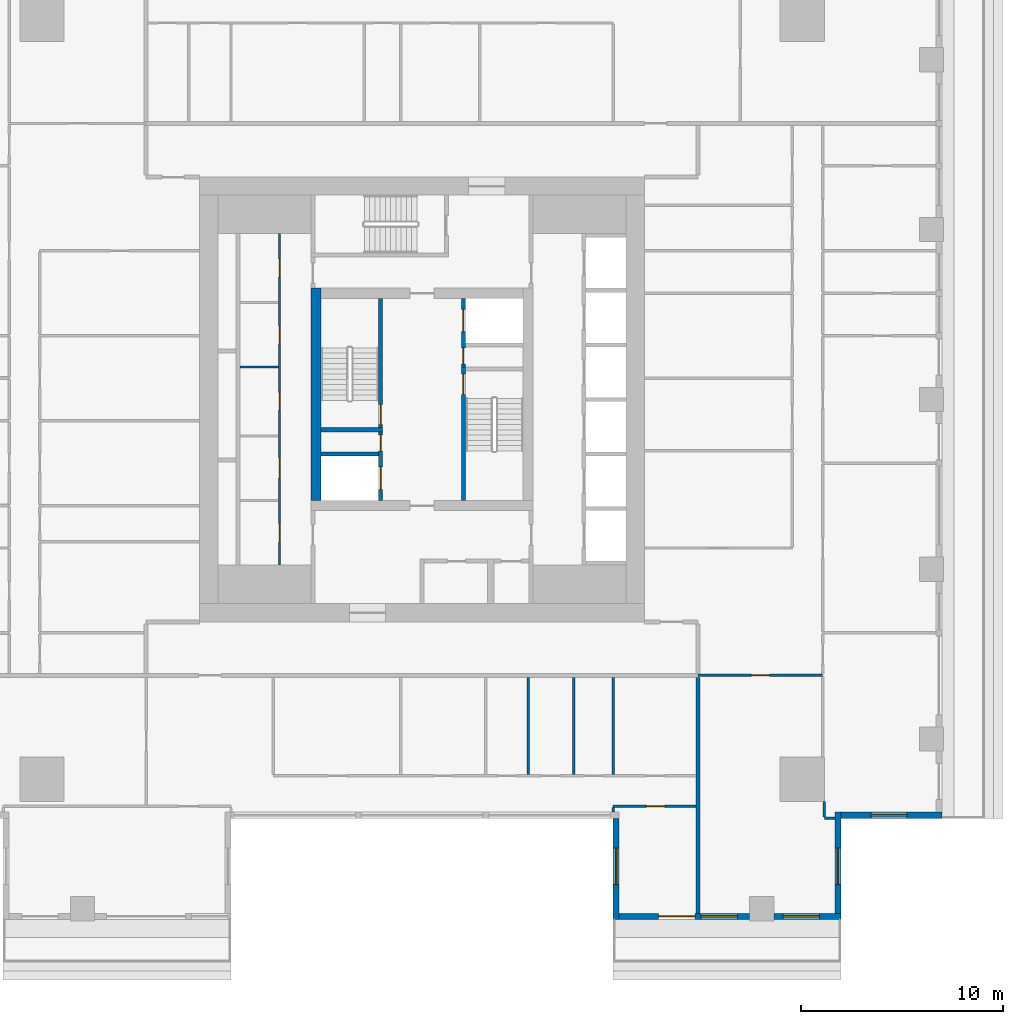
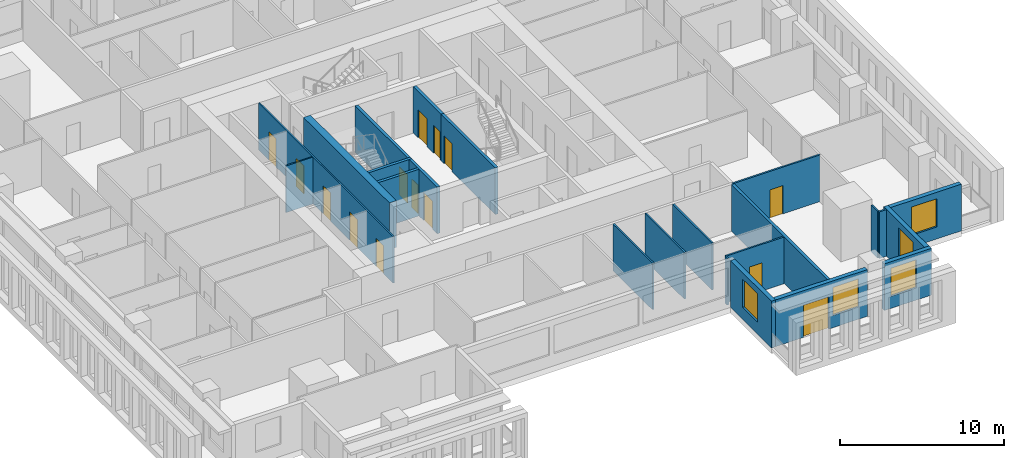
# One storey, part 4 of 14: 23 walls, 14 doors, 5 windows, 19 openings.
"""IFC4 building model written with IfcOpenShell, lengths in metres."""

from ifc_helpers import new_model, si_unit, direction, frame, frame_2d, origin, place, context, subcontext, project, spatial, rectangle, extrude, material, layer, layer_set, type_object, element, fill, save


model = new_model("IFC4")

# Units and contexts
model_context = context("Model", 3, precision=1e-05, world=origin(), true_north=direction((0.0, 1.0)))
body_context = subcontext(model_context, "Body", "Model", "MODEL_VIEW")
ifc_project = project(units=[si_unit("LENGTHUNIT", "METRE"), si_unit("AREAUNIT", "SQUARE_METRE"), si_unit("VOLUMEUNIT", "CUBIC_METRE"), si_unit("PLANEANGLEUNIT", "RADIAN"), si_unit("MASSUNIT", "GRAM", prefix="KILO")], contexts=[model_context])

# Site, building, storey
site_placement = place(None, origin())
site = spatial("IfcSite", under=ifc_project, at=site_placement, CompositionType="ELEMENT")
building_placement = place(site_placement, origin())
building = spatial("IfcBuilding", under=site, at=building_placement, Name="Khepri Terraces", CompositionType="ELEMENT")
storey_placement = place(building_placement, frame((0.0, 0.0, 267.89990234375)))
storey = spatial("IfcBuildingStorey", under=building, at=storey_placement, Name="L64", CompositionType="ELEMENT", Elevation=267.89990234375)

# Wall, opening, door
ifc_material_1 = material(Name="Concrete C40/50", Category="concrete")
ifc_layer_1 = layer(ifc_material_1, 0.199951171875, Name="Concrete C40/50", Category="concrete")
ifc_layer_set_1 = layer_set([ifc_layer_1], Name="Concrete C40/50")
wall_type_1 = type_object("IfcWallType", Name="Core wall 200 C40/50", PredefinedType="SHEAR", material=ifc_layer_set_1)
wall_1_placement = place(storey_placement, frame((2.050048828125, -5.0, 0.0), z_axis=(0.0, 0.0, 1.0), x_axis=(0.0, 1.0, 0.0)))
wall_1 = element("IfcWall", 1, at=wall_1_placement, inside=storey, type_object=wall_type_1, Name="Core wall ST01 L64", PredefinedType="SHEAR", context=body_context, shape_type="SweptSolid", body=[
    extrude(rectangle(XDim=6.60009765625, YDim=0.199951171875, at=frame_2d((3.300048828125, 0.0))), origin(), (0.0, 0.0, 1.0), 3.47998046875),
])
opening_1_placement = place(wall_1_placement, frame((5.25, 0.0, 0.0)))
opening_1 = element("IfcOpeningElement", 2, at=opening_1_placement, cuts=wall_1, Name="Opening L64-C10", PredefinedType="OPENING", context=body_context, shape_type="SweptSolid", body=[
    extrude(rectangle(XDim=1.0, YDim=2.10009765625, at=frame_2d((0.5, 1.050048828125))), frame((0.0, 0.10986328125, 0.0), z_axis=(0.0, -1.0, 0.0), x_axis=(1.0, 0.0, 0.0)), (0.0, 0.0, 1.0), 0.219970703125),
])
ifc_material_2 = material(Name="Painted steel", Category="steel")
door_type_1 = type_object("IfcDoorType", Name="DR-CORE-STAIR-1000", OperationType="NOTDEFINED", PredefinedType="DOOR", material=ifc_material_2)
door_1_placement = place(opening_1_placement, frame((1.0, 0.0, 0.0), z_axis=(0.0, 0.0, 1.0), x_axis=(-1.0, 0.0, 0.0)))
door_1 = element("IfcDoor", 3, at=door_1_placement, inside=storey, type_object=door_type_1, Name="Stair door L64-C10", OperationType="SINGLE_SWING_LEFT", OverallHeight=2.10009765625, OverallWidth=1.0, PredefinedType="DOOR", context=body_context, shape_type="SweptSolid", body=[
    extrude(rectangle(XDim=1.0, YDim=2.10009765625, at=frame_2d((0.5, 1.050048828125))), frame((0.0, 0.02490234375, 0.0), z_axis=(0.0, -1.0, 0.0), x_axis=(1.0, 0.0, 0.0)), (0.0, 0.0, 1.0), 0.050048828125),
])
fill(opening_1, door_1)

# Wall
wall_2_placement = place(storey_placement, frame((-5.0, -1.5, 0.0), z_axis=(0.0, 0.0, 1.0), x_axis=(1.0, 0.0, 0.0)))
element("IfcWall", 4, at=wall_2_placement, inside=storey, type_object=wall_type_1, Name="Core wall ST02 L64", PredefinedType="SHEAR", context=body_context, shape_type="SweptSolid", body=[
    extrude(rectangle(XDim=3.050048828125, YDim=0.199951171875, at=frame_2d((1.52490234375, 0.0))), origin(), (0.0, 0.0, 1.0), 3.47998046875),
])

# Wall, opening, door
wall_3_placement = place(storey_placement, frame((-2.050048828125, -1.39990234375, 0.0), z_axis=(0.0, 0.0, 1.0), x_axis=(0.0, 1.0, 0.0)))
wall_3 = element("IfcWall", 5, at=wall_3_placement, inside=storey, type_object=wall_type_1, Name="Core wall ST03 L64", PredefinedType="SHEAR", context=body_context, shape_type="SweptSolid", body=[
    extrude(rectangle(XDim=6.39990234375, YDim=0.199951171875, at=frame_2d((3.199951171875, 0.0))), origin(), (0.0, 0.0, 1.0), 3.47998046875),
])
opening_2_placement = place(wall_3_placement, frame((0.14990234375, 0.0, 0.0)))
opening_2 = element("IfcOpeningElement", 6, at=opening_2_placement, cuts=wall_3, Name="Opening L64-C09", PredefinedType="OPENING", context=body_context, shape_type="SweptSolid", body=[
    extrude(rectangle(XDim=1.0, YDim=2.10009765625, at=frame_2d((0.5, 1.050048828125))), frame((0.0, 0.10986328125, 0.0), z_axis=(0.0, -1.0, 0.0), x_axis=(1.0, 0.0, 0.0)), (0.0, 0.0, 1.0), 0.219970703125),
])
door_2_placement = place(opening_2_placement, origin())
door_2 = element("IfcDoor", 7, at=door_2_placement, inside=storey, type_object=door_type_1, Name="Stair door L64-C09", OperationType="SINGLE_SWING_LEFT", OverallHeight=2.10009765625, OverallWidth=1.0, PredefinedType="DOOR", context=body_context, shape_type="SweptSolid", body=[
    extrude(rectangle(XDim=1.0, YDim=2.10009765625, at=frame_2d((0.5, 1.050048828125))), frame((0.0, 0.02490234375, 0.0), z_axis=(0.0, -1.0, 0.0), x_axis=(1.0, 0.0, 0.0)), (0.0, 0.0, 1.0), 0.050048828125),
])
fill(opening_2, door_2)

# Wall, openings, doors
wall_4_placement = place(storey_placement, frame((-2.050048828125, -5.0, 0.0), z_axis=(0.0, 0.0, 1.0), x_axis=(0.0, 1.0, 0.0)))
wall_4 = element("IfcWall", 8, at=wall_4_placement, inside=storey, type_object=wall_type_1, Name="Core wall SH05 L64", PredefinedType="SHEAR", context=body_context, shape_type="SweptSolid", body=[
    extrude(rectangle(XDim=3.39990234375, YDim=0.199951171875, at=frame_2d((1.699951171875, 0.0))), origin(), (0.0, 0.0, 1.0), 3.47998046875),
])
opening_3_placement = place(wall_4_placement, frame((0.550048828125, 0.0, 0.0)))
opening_3 = element("IfcOpeningElement", 9, at=opening_3_placement, cuts=wall_4, Name="Opening L64-C08", PredefinedType="OPENING", context=body_context, shape_type="SweptSolid", body=[
    extrude(rectangle(XDim=1.10009765625, YDim=2.10009765625, at=frame_2d((0.550048828125, 1.050048828125))), frame((0.0, 0.10986328125, 0.0), z_axis=(0.0, -1.0, 0.0), x_axis=(1.0, 0.0, 0.0)), (0.0, 0.0, 1.0), 0.219970703125),
])
opening_4_placement = place(wall_4_placement, frame((2.449951171875, 0.0, 0.0)))
opening_4 = element("IfcOpeningElement", 10, at=opening_4_placement, cuts=wall_4, Name="Opening L64-C12", PredefinedType="OPENING", context=body_context, shape_type="SweptSolid", body=[
    extrude(rectangle(XDim=0.800048828125, YDim=2.10009765625, at=frame_2d((0.39990234375, 1.050048828125))), frame((0.0, 0.10986328125, 0.0), z_axis=(0.0, -1.0, 0.0), x_axis=(1.0, 0.0, 0.0)), (0.0, 0.0, 1.0), 0.219970703125),
])
ifc_material_3 = material(Name="Stainless steel 304", Category="steel")
door_type_2 = type_object("IfcDoorType", Name="DR-CORE-FF-LANDING-1100", OperationType="NOTDEFINED", PredefinedType="DOOR", material=ifc_material_3)
door_3_placement = place(opening_3_placement, origin())
door_3 = element("IfcDoor", 11, at=door_3_placement, inside=storey, type_object=door_type_2, Name="Firefighting lift landing door L64-C08", OperationType="SLIDING_TO_LEFT", OverallHeight=2.10009765625, OverallWidth=1.10009765625, PredefinedType="DOOR", context=body_context, shape_type="SweptSolid", body=[
    extrude(rectangle(XDim=1.10009765625, YDim=2.10009765625, at=frame_2d((0.550048828125, 1.050048828125))), frame((0.0, 0.02490234375, 0.0), z_axis=(0.0, -1.0, 0.0), x_axis=(1.0, 0.0, 0.0)), (0.0, 0.0, 1.0), 0.050048828125),
])
fill(opening_3, door_3)
door_type_3 = type_object("IfcDoorType", Name="DR-CORE-RISER-800", OperationType="NOTDEFINED", PredefinedType="DOOR", material=ifc_material_2)
door_4_placement = place(opening_4_placement, origin())
door_4 = element("IfcDoor", 12, at=door_4_placement, inside=storey, type_object=door_type_3, Name="Riser door L64-C12", OperationType="SINGLE_SWING_RIGHT", OverallHeight=2.10009765625, OverallWidth=0.800048828125, PredefinedType="DOOR", context=body_context, shape_type="SweptSolid", body=[
    extrude(rectangle(XDim=0.800048828125, YDim=2.10009765625, at=frame_2d((0.39990234375, 1.050048828125))), frame((0.0, 0.02490234375, 0.0), z_axis=(0.0, -1.0, 0.0), x_axis=(1.0, 0.0, 0.0)), (0.0, 0.0, 1.0), 0.050048828125),
])
fill(opening_4, door_4)

# Wall
wall_5_placement = place(storey_placement, frame((-5.0, -2.699951171875, 0.0), z_axis=(0.0, 0.0, 1.0), x_axis=(1.0, 0.0, 0.0)))
element("IfcWall", 13, at=wall_5_placement, inside=storey, type_object=wall_type_1, Name="Core wall SH07 L64", PredefinedType="SHEAR", context=body_context, shape_type="SweptSolid", body=[
    extrude(rectangle(XDim=2.85009765625, YDim=0.199951171875, at=frame_2d((1.425048828125, 0.0))), origin(), (0.0, 0.0, 1.0), 3.47998046875),
])

# Wall, openings, doors
wall_6_placement = place(storey_placement, frame((2.050048828125, 1.60009765625, 0.0), z_axis=(0.0, 0.0, 1.0), x_axis=(0.0, 1.0, 0.0)))
wall_6 = element("IfcWall", 14, at=wall_6_placement, inside=storey, type_object=wall_type_1, Name="Core wall SH10 L64", PredefinedType="SHEAR", context=body_context, shape_type="SweptSolid", body=[
    extrude(rectangle(XDim=3.39990234375, YDim=0.199951171875, at=frame_2d((1.699951171875, 0.0))), origin(), (0.0, 0.0, 1.0), 3.47998046875),
])
opening_5_placement = place(wall_6_placement, frame((1.75, 0.0, 0.0)))
opening_5 = element("IfcOpeningElement", 15, at=opening_5_placement, cuts=wall_6, Name="Opening L64-C07", PredefinedType="OPENING", context=body_context, shape_type="SweptSolid", body=[
    extrude(rectangle(XDim=1.10009765625, YDim=2.10009765625, at=frame_2d((0.550048828125, 1.050048828125))), frame((0.0, 0.10986328125, 0.0), z_axis=(0.0, -1.0, 0.0), x_axis=(1.0, 0.0, 0.0)), (0.0, 0.0, 1.0), 0.219970703125),
])
opening_6_placement = place(wall_6_placement, frame((0.14990234375, 0.0, 0.0)))
opening_6 = element("IfcOpeningElement", 16, at=opening_6_placement, cuts=wall_6, Name="Opening L64-C11", PredefinedType="OPENING", context=body_context, shape_type="SweptSolid", body=[
    extrude(rectangle(XDim=0.800048828125, YDim=2.10009765625, at=frame_2d((0.39990234375, 1.050048828125))), frame((0.0, 0.10986328125, 0.0), z_axis=(0.0, -1.0, 0.0), x_axis=(1.0, 0.0, 0.0)), (0.0, 0.0, 1.0), 0.219970703125),
])
door_5_placement = place(opening_5_placement, origin())
door_5 = element("IfcDoor", 17, at=door_5_placement, inside=storey, type_object=door_type_2, Name="Firefighting lift landing door L64-C07", OperationType="SLIDING_TO_LEFT", OverallHeight=2.10009765625, OverallWidth=1.10009765625, PredefinedType="DOOR", context=body_context, shape_type="SweptSolid", body=[
    extrude(rectangle(XDim=1.10009765625, YDim=2.10009765625, at=frame_2d((0.550048828125, 1.050048828125))), frame((0.0, 0.02490234375, 0.0), z_axis=(0.0, -1.0, 0.0), x_axis=(1.0, 0.0, 0.0)), (0.0, 0.0, 1.0), 0.050048828125),
])
fill(opening_5, door_5)
door_6_placement = place(opening_6_placement, frame((0.800048828125, 0.0, 0.0), z_axis=(0.0, 0.0, 1.0), x_axis=(-1.0, 0.0, 0.0)))
door_6 = element("IfcDoor", 18, at=door_6_placement, inside=storey, type_object=door_type_3, Name="Riser door L64-C11", OperationType="SINGLE_SWING_RIGHT", OverallHeight=2.10009765625, OverallWidth=0.800048828125, PredefinedType="DOOR", context=body_context, shape_type="SweptSolid", body=[
    extrude(rectangle(XDim=0.800048828125, YDim=2.10009765625, at=frame_2d((0.39990234375, 1.050048828125))), frame((0.0, 0.02490234375, 0.0), z_axis=(0.0, -1.0, 0.0), x_axis=(1.0, 0.0, 0.0)), (0.0, 0.0, 1.0), 0.050048828125),
])
fill(opening_6, door_6)

# Wall
ifc_layer_2 = layer(ifc_material_1, 0.5, Name="Concrete C40/50", Category="concrete")
ifc_layer_set_2 = layer_set([ifc_layer_2], Name="Concrete C40/50")
wall_type_2 = type_object("IfcWallType", Name="Core wall 500 C40/50", PredefinedType="SHEAR", material=ifc_layer_set_2)
wall_7_placement = place(storey_placement, frame((-5.25, -5.0, 0.0), z_axis=(0.0, 0.0, 1.0), x_axis=(0.0, 1.0, 0.0)))
element("IfcWall", 19, at=wall_7_placement, inside=storey, type_object=wall_type_2, Name="Core wall BX02 L64", PredefinedType="SHEAR", context=body_context, shape_type="SweptSolid", body=[
    extrude(rectangle(XDim=10.5, YDim=0.5, at=frame_2d((5.25, 0.0))), origin(), (0.0, 0.0, 1.0), 3.47998046875),
])

# Wall, openings, doors
ifc_material_4 = material(Name="Fire-rated gypsum board partition")
ifc_layer_3 = layer(ifc_material_4, 0.10009765625, Name="Fire-rated gypsum board partition")
ifc_layer_set_3 = layer_set([ifc_layer_3], Name="Fire-rated gypsum board partition")
wall_type_3 = type_object("IfcWallType", Name="WL-CORE-PART-100", PredefinedType="PARTITIONING", material=ifc_layer_set_3)
wall_8_placement = place(storey_placement, frame((-7.050048828125, -8.199951171875, 0.0), z_axis=(0.0, 0.0, 1.0), x_axis=(0.0, 1.0, 0.0)))
wall_8 = element("IfcWall", 20, at=wall_8_placement, inside=storey, type_object=wall_type_3, Name="Core partition PT05 L64", PredefinedType="PARTITIONING", context=body_context, shape_type="SweptSolid", body=[
    extrude(rectangle(XDim=16.39990234375, YDim=0.10009765625, at=frame_2d((8.199951171875, 0.0))), origin(), (0.0, 0.0, 1.0), 3.47998046875),
])
opening_7_placement = place(wall_8_placement, frame((1.14990234375, 0.0, 0.0)))
opening_7 = element("IfcOpeningElement", 21, at=opening_7_placement, cuts=wall_8, Name="Opening L64-C24", PredefinedType="OPENING", context=body_context, shape_type="SweptSolid", body=[
    extrude(rectangle(XDim=0.89990234375, YDim=2.10009765625, at=frame_2d((0.449951171875, 1.050048828125))), frame((0.0, 0.06005859375, 0.0), z_axis=(0.0, -1.0, 0.0), x_axis=(1.0, 0.0, 0.0)), (0.0, 0.0, 1.0), 0.1201171875),
])
opening_8_placement = place(wall_8_placement, frame((4.300048828125, 0.0, 0.0)))
opening_8 = element("IfcOpeningElement", 22, at=opening_8_placement, cuts=wall_8, Name="Opening L64-C25", PredefinedType="OPENING", context=body_context, shape_type="SweptSolid", body=[
    extrude(rectangle(XDim=1.0, YDim=2.10009765625, at=frame_2d((0.5, 1.050048828125))), frame((0.0, 0.06005859375, 0.0), z_axis=(0.0, -1.0, 0.0), x_axis=(1.0, 0.0, 0.0)), (0.0, 0.0, 1.0), 0.1201171875),
])
opening_9_placement = place(wall_8_placement, frame((7.64990234375, 0.0, 0.0)))
opening_9 = element("IfcOpeningElement", 23, at=opening_9_placement, cuts=wall_8, Name="Opening L64-C26", PredefinedType="OPENING", context=body_context, shape_type="SweptSolid", body=[
    extrude(rectangle(XDim=0.89990234375, YDim=2.10009765625, at=frame_2d((0.449951171875, 1.050048828125))), frame((0.0, 0.06005859375, 0.0), z_axis=(0.0, -1.0, 0.0), x_axis=(1.0, 0.0, 0.0)), (0.0, 0.0, 1.0), 0.1201171875),
])
opening_10_placement = place(wall_8_placement, frame((10.949951171875, 0.0, 0.0)))
opening_10 = element("IfcOpeningElement", 24, at=opening_10_placement, cuts=wall_8, Name="Opening L64-C27", PredefinedType="OPENING", context=body_context, shape_type="SweptSolid", body=[
    extrude(rectangle(XDim=0.89990234375, YDim=2.10009765625, at=frame_2d((0.449951171875, 1.050048828125))), frame((0.0, 0.06005859375, 0.0), z_axis=(0.0, -1.0, 0.0), x_axis=(1.0, 0.0, 0.0)), (0.0, 0.0, 1.0), 0.1201171875),
])
opening_11_placement = place(wall_8_placement, frame((14.25, 0.0, 0.0)))
opening_11 = element("IfcOpeningElement", 25, at=opening_11_placement, cuts=wall_8, Name="Opening L64-C28", PredefinedType="OPENING", context=body_context, shape_type="SweptSolid", body=[
    extrude(rectangle(XDim=0.89990234375, YDim=2.10009765625, at=frame_2d((0.449951171875, 1.050048828125))), frame((0.0, 0.06005859375, 0.0), z_axis=(0.0, -1.0, 0.0), x_axis=(1.0, 0.0, 0.0)), (0.0, 0.0, 1.0), 0.1201171875),
])
door_type_4 = type_object("IfcDoorType", Name="DR-CORE-SERVICE-900", OperationType="NOTDEFINED", PredefinedType="DOOR", material=ifc_material_2)
door_7_placement = place(opening_7_placement, origin())
door_7 = element("IfcDoor", 26, at=door_7_placement, inside=storey, type_object=door_type_4, Name="Service room door L64-C24", OperationType="SINGLE_SWING_LEFT", OverallHeight=2.10009765625, OverallWidth=0.89990234375, PredefinedType="DOOR", context=body_context, shape_type="SweptSolid", body=[
    extrude(rectangle(XDim=0.89990234375, YDim=2.10009765625, at=frame_2d((0.449951171875, 1.050048828125))), frame((0.0, 0.02490234375, 0.0), z_axis=(0.0, -1.0, 0.0), x_axis=(1.0, 0.0, 0.0)), (0.0, 0.0, 1.0), 0.050048828125),
])
fill(opening_7, door_7)
door_8_placement = place(opening_9_placement, origin())
door_8 = element("IfcDoor", 27, at=door_8_placement, inside=storey, type_object=door_type_4, Name="Service room door L64-C26", OperationType="SINGLE_SWING_LEFT", OverallHeight=2.10009765625, OverallWidth=0.89990234375, PredefinedType="DOOR", context=body_context, shape_type="SweptSolid", body=[
    extrude(rectangle(XDim=0.89990234375, YDim=2.10009765625, at=frame_2d((0.449951171875, 1.050048828125))), frame((0.0, 0.02490234375, 0.0), z_axis=(0.0, -1.0, 0.0), x_axis=(1.0, 0.0, 0.0)), (0.0, 0.0, 1.0), 0.050048828125),
])
fill(opening_9, door_8)
door_9_placement = place(opening_10_placement, origin())
door_9 = element("IfcDoor", 28, at=door_9_placement, inside=storey, type_object=door_type_4, Name="Service room door L64-C27", OperationType="SINGLE_SWING_RIGHT", OverallHeight=2.10009765625, OverallWidth=0.89990234375, PredefinedType="DOOR", context=body_context, shape_type="SweptSolid", body=[
    extrude(rectangle(XDim=0.89990234375, YDim=2.10009765625, at=frame_2d((0.449951171875, 1.050048828125))), frame((0.0, 0.02490234375, 0.0), z_axis=(0.0, -1.0, 0.0), x_axis=(1.0, 0.0, 0.0)), (0.0, 0.0, 1.0), 0.050048828125),
])
fill(opening_10, door_9)
door_10_placement = place(opening_11_placement, origin())
door_10 = element("IfcDoor", 29, at=door_10_placement, inside=storey, type_object=door_type_4, Name="Service room door L64-C28", OperationType="SINGLE_SWING_RIGHT", OverallHeight=2.10009765625, OverallWidth=0.89990234375, PredefinedType="DOOR", context=body_context, shape_type="SweptSolid", body=[
    extrude(rectangle(XDim=0.89990234375, YDim=2.10009765625, at=frame_2d((0.449951171875, 1.050048828125))), frame((0.0, 0.02490234375, 0.0), z_axis=(0.0, -1.0, 0.0), x_axis=(1.0, 0.0, 0.0)), (0.0, 0.0, 1.0), 0.050048828125),
])
fill(opening_11, door_10)
ifc_material_5 = material(Name="Timber veneer", Category="wood")
door_type_5 = type_object("IfcDoorType", Name="DR-CORE-WC-1000", OperationType="NOTDEFINED", PredefinedType="DOOR", material=ifc_material_5)
door_11_placement = place(opening_8_placement, origin())
door_11 = element("IfcDoor", 30, at=door_11_placement, inside=storey, type_object=door_type_5, Name="WC door L64-C25", OperationType="SINGLE_SWING_LEFT", OverallHeight=2.10009765625, OverallWidth=1.0, PredefinedType="DOOR", context=body_context, shape_type="SweptSolid", body=[
    extrude(rectangle(XDim=1.0, YDim=2.10009765625, at=frame_2d((0.5, 1.050048828125))), frame((0.0, 0.02490234375, 0.0), z_axis=(0.0, -1.0, 0.0), x_axis=(1.0, 0.0, 0.0)), (0.0, 0.0, 1.0), 0.050048828125),
])
fill(opening_8, door_11)

# Walls
wall_9_placement = place(storey_placement, frame((-9.0, 1.60009765625, 0.0), z_axis=(0.0, 0.0, 1.0), x_axis=(1.0, 0.0, 0.0)))
element("IfcWall", 31, at=wall_9_placement, inside=storey, type_object=wall_type_3, Name="Core partition PT10 L64", PredefinedType="PARTITIONING", context=body_context, shape_type="SweptSolid", body=[
    extrude(rectangle(XDim=1.89990234375, YDim=0.10009765625, at=frame_2d((0.949951171875, 0.0))), origin(), (0.0, 0.0, 1.0), 3.47998046875),
])
ifc_material_6 = material(Name="Fire-rated gypsum plasterboard partition, mineral wool")
ifc_layer_4 = layer(ifc_material_6, 0.199951171875, Name="Fire-rated gypsum plasterboard partition, mineral wool")
ifc_layer_set_4 = layer_set([ifc_layer_4], Name="Fire-rated gypsum plasterboard partition, mineral wool")
wall_type_4 = type_object("IfcWallType", Name="WL-CORR-200", PredefinedType="PARTITIONING", material=ifc_layer_set_4)
wall_10_placement = place(storey_placement, frame((13.64990234375, -25.419921875, 0.0), z_axis=(0.0, 0.0, 1.0), x_axis=(0.0, 1.0, 0.0)))
element("IfcWall", 32, at=wall_10_placement, inside=storey, type_object=wall_type_4, Name="Partition P-001 L64", PredefinedType="PARTITIONING", context=body_context, shape_type="SweptSolid", body=[
    extrude(rectangle(XDim=11.669921875, YDim=0.199951171875, at=frame_2d((5.8349609375, 0.0))), origin(), (0.0, 0.0, 1.0), 3.47998046875),
])

# Wall, opening, window
ifc_material_7 = material(Name="Precast concrete C50/60 warm stone", Category="masonry")
ifc_layer_5 = layer(ifc_material_7, 0.300048828125, Name="Precast concrete C50/60 warm stone", Category="masonry")
ifc_layer_set_5 = layer_set([ifc_layer_5], Name="Precast concrete C50/60 warm stone")
wall_type_5 = type_object("IfcWallType", Name="WL-EXT-PRECAST-300", PredefinedType="STANDARD", material=ifc_layer_set_5)
wall_11_placement = place(storey_placement, frame((20.719970703125, -20.570068359375, 0.0), z_axis=(0.0, 0.0, 1.0), x_axis=(1.0, 0.0, 0.0)))
wall_11 = element("IfcWall", 33, at=wall_11_placement, inside=storey, type_object=wall_type_5, Name="External wall L64 S", PredefinedType="STANDARD", context=body_context, shape_type="SweptSolid", body=[
    extrude(rectangle(XDim=5.0, YDim=0.300048828125, at=frame_2d((2.5, 0.0))), origin(), (0.0, 0.0, 1.0), 3.47998046875),
])
opening_12_placement = place(wall_11_placement, frame((1.47998046875, 0.0, 0.89990234375)))
opening_12 = element("IfcOpeningElement", 34, at=opening_12_placement, cuts=wall_11, Name="Opening W1", PredefinedType="OPENING", context=body_context, shape_type="SweptSolid", body=[
    extrude(rectangle(XDim=1.800048828125, YDim=2.10009765625, at=frame_2d((0.89990234375, 1.050048828125))), frame((0.0, 0.16015625, 0.0), z_axis=(0.0, -1.0, 0.0), x_axis=(1.0, 0.0, 0.0)), (0.0, 0.0, 1.0), 0.320068359375),
])
ifc_material_8 = material(Name="Clear glass", Category="glass")
window_type = type_object("IfcWindowType", Name="WIN-RES-1800x2100", PartitioningType="SINGLE_PANEL", PredefinedType="WINDOW", material=ifc_material_8)
window_1_placement = place(opening_12_placement, origin())
window_1 = element("IfcWindow", 35, at=window_1_placement, inside=storey, type_object=window_type, Name="Window L64 S", OverallHeight=2.10009765625, OverallWidth=1.800048828125, PartitioningType="SINGLE_PANEL", PredefinedType="WINDOW", context=body_context, shape_type="SweptSolid", body=[
    extrude(rectangle(XDim=1.800048828125, YDim=2.10009765625, at=frame_2d((0.89990234375, 1.050048828125))), frame((0.0, 0.030029296875, 0.0), z_axis=(0.0, -1.0, 0.0), x_axis=(1.0, 0.0, 0.0)), (0.0, 0.0, 1.0), 0.06005859375),
])
fill(opening_12, window_1)

wall_12_placement = place(storey_placement, frame((9.60009765625, -20.719970703125, 0.0), z_axis=(0.0, 0.0, 1.0), x_axis=(0.0, -1.0, 0.0)))
wall_12 = element("IfcWall", 36, at=wall_12_placement, inside=storey, type_object=wall_type_5, Name="External wall L64 W", PredefinedType="STANDARD", context=body_context, shape_type="SweptSolid", body=[
    extrude(rectangle(XDim=5.0, YDim=0.300048828125, at=frame_2d((2.5, 0.0))), origin(), (0.0, 0.0, 1.0), 3.47998046875),
])
opening_13_placement = place(wall_12_placement, frame((1.47998046875, 0.0, 0.89990234375)))
opening_13 = element("IfcOpeningElement", 37, at=opening_13_placement, cuts=wall_12, Name="Opening W1", PredefinedType="OPENING", context=body_context, shape_type="SweptSolid", body=[
    extrude(rectangle(XDim=1.800048828125, YDim=2.10009765625, at=frame_2d((0.89990234375, 1.050048828125))), frame((0.0, 0.16015625, 0.0), z_axis=(0.0, -1.0, 0.0), x_axis=(1.0, 0.0, 0.0)), (0.0, 0.0, 1.0), 0.320068359375),
])
window_2_placement = place(opening_13_placement, origin())
window_2 = element("IfcWindow", 38, at=window_2_placement, inside=storey, type_object=window_type, Name="Window L64 W", OverallHeight=2.10009765625, OverallWidth=1.800048828125, PartitioningType="SINGLE_PANEL", PredefinedType="WINDOW", context=body_context, shape_type="SweptSolid", body=[
    extrude(rectangle(XDim=1.800048828125, YDim=2.10009765625, at=frame_2d((0.89990234375, 1.050048828125))), frame((0.0, 0.030029296875, 0.0), z_axis=(0.0, -1.0, 0.0), x_axis=(1.0, 0.0, 0.0)), (0.0, 0.0, 1.0), 0.06005859375),
])
fill(opening_13, window_2)

# Wall, openings, door, window
wall_13_placement = place(storey_placement, frame((9.75, -25.570068359375, 0.0), z_axis=(0.0, 0.0, 1.0), x_axis=(1.0, 0.0, 0.0)))
wall_13 = element("IfcWall", 39, at=wall_13_placement, inside=storey, type_object=wall_type_5, Name="External wall L64 S", PredefinedType="STANDARD", context=body_context, shape_type="SweptSolid", body=[
    extrude(rectangle(XDim=6.449951171875, YDim=0.300048828125, at=frame_2d((3.22509765625, 0.0))), origin(), (0.0, 0.0, 1.0), 3.47998046875),
])
opening_14_placement = place(wall_13_placement, frame((1.949951171875, 0.0, 0.0)))
opening_14 = element("IfcOpeningElement", 40, at=opening_14_placement, cuts=wall_13, Name="Opening ED-L64-17", PredefinedType="OPENING", context=body_context, shape_type="SweptSolid", body=[
    extrude(rectangle(XDim=1.800048828125, YDim=2.39990234375, at=frame_2d((0.89990234375, 1.199951171875))), frame((0.0, 0.16015625, 0.0), z_axis=(0.0, -1.0, 0.0), x_axis=(1.0, 0.0, 0.0)), (0.0, 0.0, 1.0), 0.320068359375),
])
opening_15_placement = place(wall_13_placement, frame((4.050048828125, 0.0, 0.89990234375)))
opening_15 = element("IfcOpeningElement", 41, at=opening_15_placement, cuts=wall_13, Name="Opening W1", PredefinedType="OPENING", context=body_context, shape_type="SweptSolid", body=[
    extrude(rectangle(XDim=1.800048828125, YDim=2.10009765625, at=frame_2d((0.89990234375, 1.050048828125))), frame((0.0, 0.16015625, 0.0), z_axis=(0.0, -1.0, 0.0), x_axis=(1.0, 0.0, 0.0)), (0.0, 0.0, 1.0), 0.320068359375),
])
ifc_material_9 = material(Name="Anodised aluminium bronze glazed door", Category="aluminium")
door_type_6 = type_object("IfcDoorType", Name="DR-BAL-SLIDE-1800x2400", OperationType="NOTDEFINED", PredefinedType="DOOR", material=ifc_material_9)
door_12_placement = place(opening_14_placement, origin())
door_12 = element("IfcDoor", 42, at=door_12_placement, inside=storey, type_object=door_type_6, Name="Balcony door L64 S", OperationType="SLIDING_TO_RIGHT", OverallHeight=2.39990234375, OverallWidth=1.800048828125, PredefinedType="DOOR", context=body_context, shape_type="SweptSolid", body=[
    extrude(rectangle(XDim=1.800048828125, YDim=2.39990234375, at=frame_2d((0.89990234375, 1.199951171875))), frame((0.0, 0.02490234375, 0.0), z_axis=(0.0, -1.0, 0.0), x_axis=(1.0, 0.0, 0.0)), (0.0, 0.0, 1.0), 0.050048828125),
])
fill(opening_14, door_12)
window_3_placement = place(opening_15_placement, origin())
window_3 = element("IfcWindow", 43, at=window_3_placement, inside=storey, type_object=window_type, Name="Window L64 S", OverallHeight=2.10009765625, OverallWidth=1.800048828125, PartitioningType="SINGLE_PANEL", PredefinedType="WINDOW", context=body_context, shape_type="SweptSolid", body=[
    extrude(rectangle(XDim=1.800048828125, YDim=2.10009765625, at=frame_2d((0.89990234375, 1.050048828125))), frame((0.0, 0.030029296875, 0.0), z_axis=(0.0, -1.0, 0.0), x_axis=(1.0, 0.0, 0.0)), (0.0, 0.0, 1.0), 0.06005859375),
])
fill(opening_15, window_3)

# Wall, opening, window
wall_14_placement = place(storey_placement, frame((17.39990234375, -25.570068359375, 0.0), z_axis=(0.0, 0.0, 1.0), x_axis=(1.0, 0.0, 0.0)))
wall_14 = element("IfcWall", 44, at=wall_14_placement, inside=storey, type_object=wall_type_5, Name="External wall L64 S", PredefinedType="STANDARD", context=body_context, shape_type="SweptSolid", body=[
    extrude(rectangle(XDim=3.320068359375, YDim=0.300048828125, at=frame_2d((1.66015625, 0.0))), origin(), (0.0, 0.0, 1.0), 3.47998046875),
])
opening_16_placement = place(wall_14_placement, frame((0.45947265625, 0.0, 0.89990234375)))
opening_16 = element("IfcOpeningElement", 45, at=opening_16_placement, cuts=wall_14, Name="Opening W1", PredefinedType="OPENING", context=body_context, shape_type="SweptSolid", body=[
    extrude(rectangle(XDim=1.800048828125, YDim=2.10009765625, at=frame_2d((0.89990234375, 1.050048828125))), frame((0.0, 0.16015625, 0.0), z_axis=(0.0, -1.0, 0.0), x_axis=(1.0, 0.0, 0.0)), (0.0, 0.0, 1.0), 0.320068359375),
])
window_4_placement = place(opening_16_placement, origin())
window_4 = element("IfcWindow", 46, at=window_4_placement, inside=storey, type_object=window_type, Name="Window L64 S", OverallHeight=2.10009765625, OverallWidth=1.800048828125, PartitioningType="SINGLE_PANEL", PredefinedType="WINDOW", context=body_context, shape_type="SweptSolid", body=[
    extrude(rectangle(XDim=1.800048828125, YDim=2.10009765625, at=frame_2d((0.89990234375, 1.050048828125))), frame((0.0, 0.030029296875, 0.0), z_axis=(0.0, -1.0, 0.0), x_axis=(1.0, 0.0, 0.0)), (0.0, 0.0, 1.0), 0.06005859375),
])
fill(opening_16, window_4)

wall_15_placement = place(storey_placement, frame((20.570068359375, -25.419921875, 0.0), z_axis=(0.0, 0.0, 1.0), x_axis=(0.0, 1.0, 0.0)))
wall_15 = element("IfcWall", 47, at=wall_15_placement, inside=storey, type_object=wall_type_5, Name="External wall L64 E", PredefinedType="STANDARD", context=body_context, shape_type="SweptSolid", body=[
    extrude(rectangle(XDim=5.0, YDim=0.300048828125, at=frame_2d((2.5, 0.0))), origin(), (0.0, 0.0, 1.0), 3.47998046875),
])
opening_17_placement = place(wall_15_placement, frame((1.419921875, 0.0, 0.89990234375)))
opening_17 = element("IfcOpeningElement", 48, at=opening_17_placement, cuts=wall_15, Name="Opening W1", PredefinedType="OPENING", context=body_context, shape_type="SweptSolid", body=[
    extrude(rectangle(XDim=1.800048828125, YDim=2.10009765625, at=frame_2d((0.89990234375, 1.050048828125))), frame((0.0, 0.16015625, 0.0), z_axis=(0.0, -1.0, 0.0), x_axis=(1.0, 0.0, 0.0)), (0.0, 0.0, 1.0), 0.320068359375),
])
window_5_placement = place(opening_17_placement, origin())
window_5 = element("IfcWindow", 49, at=window_5_placement, inside=storey, type_object=window_type, Name="Window L64 E", OverallHeight=2.10009765625, OverallWidth=1.800048828125, PartitioningType="SINGLE_PANEL", PredefinedType="WINDOW", context=body_context, shape_type="SweptSolid", body=[
    extrude(rectangle(XDim=1.800048828125, YDim=2.10009765625, at=frame_2d((0.89990234375, 1.050048828125))), frame((0.0, 0.030029296875, 0.0), z_axis=(0.0, -1.0, 0.0), x_axis=(1.0, 0.0, 0.0)), (0.0, 0.0, 1.0), 0.06005859375),
])
fill(opening_17, window_5)

# Walls
ifc_material_10 = material(Name="Gypsum plasterboard partition")
ifc_layer_6 = layer(ifc_material_10, 0.1201171875, Name="Gypsum plasterboard partition")
ifc_layer_set_6 = layer_set([ifc_layer_6], Name="Gypsum plasterboard partition")
wall_type_6 = type_object("IfcWallType", Name="WL-PART-120", PredefinedType="PARTITIONING", material=ifc_layer_set_6)
wall_16_placement = place(storey_placement, frame((9.449951171875, -20.419921875, 0.0), z_axis=(0.0, 0.0, 1.0), x_axis=(0.0, 1.0, 0.0)))
element("IfcWall", 50, at=wall_16_placement, inside=storey, type_object=wall_type_6, Name="Partition P-004 L64", PredefinedType="PARTITIONING", context=body_context, shape_type="SweptSolid", body=[
    extrude(rectangle(XDim=0.239990234375, YDim=0.1201171875, at=frame_2d((0.1201171875, 0.0))), origin(), (0.0, 0.0, 1.0), 3.47998046875),
])
wall_17_placement = place(storey_placement, frame((19.90087890625, -20.718994140625, 0.0), z_axis=(0.0, 0.0, 1.0), x_axis=(1.0, 0.0, 0.0)))
element("IfcWall", 51, at=wall_17_placement, inside=storey, type_object=wall_type_6, Name="Partition P-005 L64", PredefinedType="PARTITIONING", context=body_context, shape_type="SweptSolid", body=[
    extrude(rectangle(XDim=0.52001953125, YDim=0.1201171875, at=frame_2d((0.260009765625, 0.0))), origin(), (0.0, 0.0, 1.0), 3.47998046875),
])
wall_18_placement = place(storey_placement, frame((19.90087890625, -20.658935546875, 0.0), z_axis=(0.0, 0.0, 1.0), x_axis=(0.0, 1.0, 0.0)))
element("IfcWall", 52, at=wall_18_placement, inside=storey, type_object=wall_type_6, Name="Partition P-006 L64", PredefinedType="PARTITIONING", context=body_context, shape_type="SweptSolid", body=[
    extrude(rectangle(XDim=0.759033203125, YDim=0.1201171875, at=frame_2d((0.37939453125, 0.0))), origin(), (0.0, 0.0, 1.0), 3.47998046875),
])

# Wall, opening, door
wall_19_placement = place(storey_placement, frame((9.449951171875, -20.1201171875, 0.0), z_axis=(0.0, 0.0, 1.0), x_axis=(1.0, 0.0, 0.0)))
wall_19 = element("IfcWall", 53, at=wall_19_placement, inside=storey, type_object=wall_type_6, Name="Partition P-008 L64", PredefinedType="PARTITIONING", context=body_context, shape_type="SweptSolid", body=[
    extrude(rectangle(XDim=4.10009765625, YDim=0.1201171875, at=frame_2d((2.050048828125, 0.0))), origin(), (0.0, 0.0, 1.0), 3.47998046875),
])
opening_18_placement = place(wall_19_placement, frame((1.64990234375, 0.0, 0.0)))
opening_18 = element("IfcOpeningElement", 54, at=opening_18_placement, cuts=wall_19, Name="Opening D3", PredefinedType="OPENING", context=body_context, shape_type="SweptSolid", body=[
    extrude(rectangle(XDim=0.89990234375, YDim=2.10009765625, at=frame_2d((0.449951171875, 1.050048828125))), frame((0.0, 0.070068359375, 0.0), z_axis=(0.0, -1.0, 0.0), x_axis=(1.0, 0.0, 0.0)), (0.0, 0.0, 1.0), 0.14013671875),
])
ifc_material_11 = material(Name="Timber door leaf", Category="wood")
door_type_7 = type_object("IfcDoorType", Name="DR-INT-900", OperationType="NOTDEFINED", PredefinedType="DOOR", material=ifc_material_11)
door_13_placement = place(opening_18_placement, frame((0.89990234375, 0.0, 0.0), z_axis=(0.0, 0.0, 1.0), x_axis=(-1.0, 0.0, 0.0)))
door_13 = element("IfcDoor", 55, at=door_13_placement, inside=storey, type_object=door_type_7, Name="Door Home Gym", OperationType="SINGLE_SWING_LEFT", OverallHeight=2.10009765625, OverallWidth=0.89990234375, PredefinedType="DOOR", context=body_context, shape_type="SweptSolid", body=[
    extrude(rectangle(XDim=0.89990234375, YDim=2.10009765625, at=frame_2d((0.449951171875, 1.050048828125))), frame((0.0, 0.02490234375, 0.0), z_axis=(0.0, -1.0, 0.0), x_axis=(1.0, 0.0, 0.0)), (0.0, 0.0, 1.0), 0.050048828125),
])
fill(opening_18, door_13)

# Walls
for number, where, z_axis, x_axis, name in (
    (56, (5.25, -18.56005859375, 0.0), (0.0, 0.0, 1.0), (0.0, 1.0, 0.0), "Partition P-014 L64"),
    (57, (7.5, -18.56005859375, 0.0), (0.0, 0.0, 1.0), (0.0, 1.0, 0.0), "Partition P-015 L64"),
    (58, (9.449951171875, -18.56005859375, 0.0), (0.0, 0.0, 1.0), (0.0, 1.0, 0.0), "Partition P-016 L64"),
):
    element("IfcWall", number, at=place(storey_placement, frame(where, z_axis=z_axis, x_axis=x_axis)), inside=storey, type_object=wall_type_6, Name=name, PredefinedType="PARTITIONING", context=body_context, shape_type="SweptSolid", body=[
        extrude(rectangle(XDim=4.81005859375, YDim=0.1201171875, at=frame_2d((2.405029296875, 0.0))), origin(), (0.0, 0.0, 1.0), 3.47998046875),
    ])

# Wall, opening, door
wall_20_placement = place(storey_placement, frame((13.64990234375, -13.64990234375, 0.0), z_axis=(0.0, 0.0, 1.0), x_axis=(1.0, 0.0, 0.0)))
wall_20 = element("IfcWall", 59, at=wall_20_placement, inside=storey, type_object=wall_type_6, Name="Partition P-019 L64", PredefinedType="PARTITIONING", context=body_context, shape_type="SweptSolid", body=[
    extrude(rectangle(XDim=6.170166015625, YDim=0.1201171875, at=frame_2d((3.0849609375, 0.0))), origin(), (0.0, 0.0, 1.0), 3.47998046875),
])
opening_19_placement = place(wall_20_placement, frame((2.635009765625, 0.0, 0.0)))
opening_19 = element("IfcOpeningElement", 60, at=opening_19_placement, cuts=wall_20, Name="Opening D3", PredefinedType="OPENING", context=body_context, shape_type="SweptSolid", body=[
    extrude(rectangle(XDim=0.89990234375, YDim=2.10009765625, at=frame_2d((0.449951171875, 1.050048828125))), frame((0.0, 0.070068359375, 0.0), z_axis=(0.0, -1.0, 0.0), x_axis=(1.0, 0.0, 0.0)), (0.0, 0.0, 1.0), 0.14013671875),
])
door_14_placement = place(opening_19_placement, frame((0.89990234375, 0.0, 0.0), z_axis=(0.0, 0.0, 1.0), x_axis=(-1.0, 0.0, 0.0)))
door_14 = element("IfcDoor", 61, at=door_14_placement, inside=storey, type_object=door_type_7, Name="Door Library", OperationType="SINGLE_SWING_RIGHT", OverallHeight=2.10009765625, OverallWidth=0.89990234375, PredefinedType="DOOR", context=body_context, shape_type="SweptSolid", body=[
    extrude(rectangle(XDim=0.89990234375, YDim=2.10009765625, at=frame_2d((0.449951171875, 1.050048828125))), frame((0.0, 0.02490234375, 0.0), z_axis=(0.0, -1.0, 0.0), x_axis=(1.0, 0.0, 0.0)), (0.0, 0.0, 1.0), 0.050048828125),
])
fill(opening_19, door_14)

save(model, "model.ifc")
